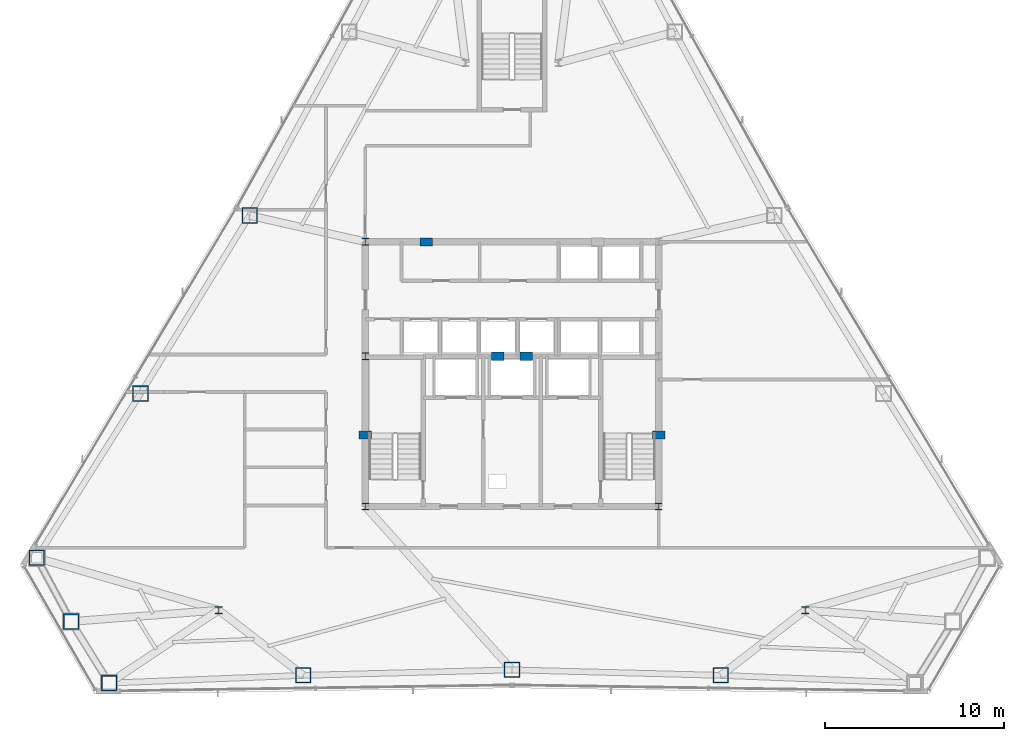
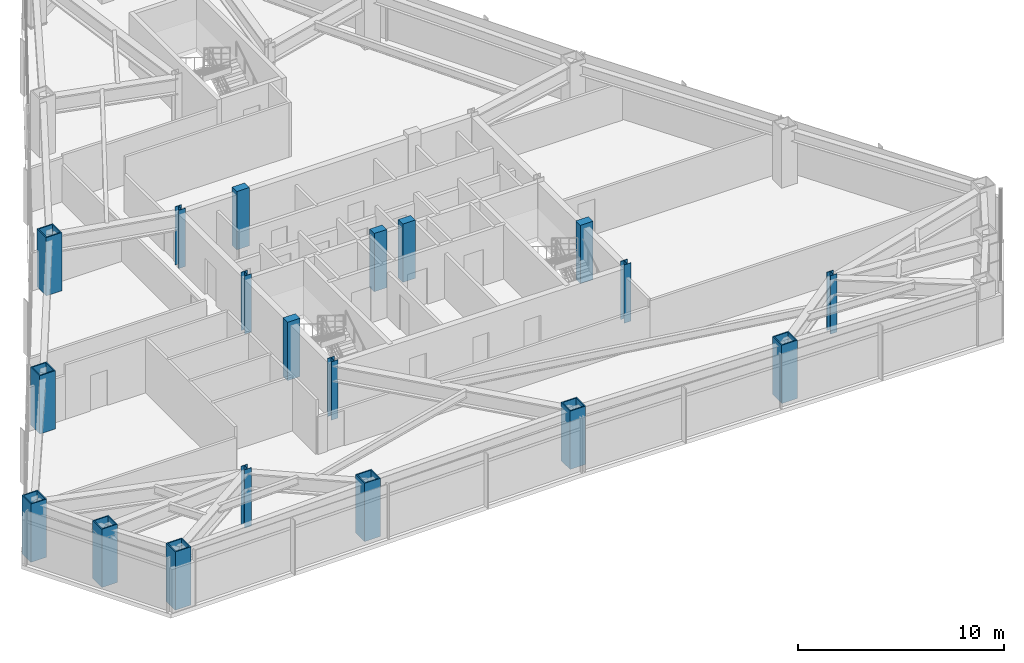
# One storey, part 1 of 13: 19 columns.
"""IFC4 building model written with IfcOpenShell, lengths in metres."""

from ifc_helpers import new_model, si_unit, direction, frame, origin, origin_2d, place, context, subcontext, project, spatial, rectangle, hollow_rectangle, i_section, extrude, material, material_profile, profile_set, type_object, element, save


model = new_model("IFC4")

# Units and contexts
model_context = context("Model", 3, precision=1e-05, world=origin(), true_north=direction((0.0, 1.0)))
body_context = subcontext(model_context, "Body", "Model", "MODEL_VIEW")
ifc_project = project(units=[si_unit("LENGTHUNIT", "METRE"), si_unit("AREAUNIT", "SQUARE_METRE"), si_unit("VOLUMEUNIT", "CUBIC_METRE"), si_unit("PLANEANGLEUNIT", "RADIAN"), si_unit("MASSUNIT", "GRAM", prefix="KILO")], contexts=[model_context])

# Site, building, storey
site_placement = place(None, origin())
site = spatial("IfcSite", under=ifc_project, at=site_placement, CompositionType="ELEMENT")
building_placement = place(site_placement, origin())
building = spatial("IfcBuilding", under=site, at=building_placement, Name="Varakhsha Concourse Tower", CompositionType="ELEMENT")
storey_placement = place(building_placement, frame((0.0, 0.0, 147.050048828125)))
storey = spatial("IfcBuildingStorey", under=building, at=storey_placement, Name="L42", CompositionType="ELEMENT", Elevation=147.050048828125)

# Columns
ifc_material_1 = material(Name="Structural Steel ASTM A992 Grade 50", Category="steel")
ifc_material_profile_1 = material_profile(ifc_material_1, i_section(OverallWidth=0.3740234375, OverallDepth=0.3720703125, WebThickness=0.01611328125, FlangeThickness=0.02587890625, at=origin_2d()), Name="W14X132")
ifc_profile_set_1 = profile_set([ifc_material_profile_1], Name="Structural Steel ASTM A992 Grade 50")
column_type_1 = type_object("IfcColumnType", Name="CL-CORE-W14X132", PredefinedType="COLUMN", material=ifc_profile_set_1)
for number, where, z_axis, x_axis, name in (
    (1, (31.800048828125, 16.39990234375, 0.0), (0.0, 0.0, 1.0), (1.0, 0.0, 0.0), "L42 Core Column CC-SW"),
    (2, (48.199951171875, 16.39990234375, 0.0), (0.0, 0.0, 1.0), (1.0, 0.0, 0.0), "L42 Core Column CC-SE"),
    (3, (31.800048828125, 24.800048828125, 0.0), (0.0, 0.0, 1.0), (1.0, 0.0, 0.0), "L42 Core Column CC-MW"),
    (4, (31.800048828125, 31.199951171875, 0.0), (0.0, 0.0, 1.0), (1.0, 0.0, 0.0), "L42 Core Column CC-NW"),
    (5, (23.60009765625, 10.60009765625, 0.0), (0.0, 0.0, 1.0), (1.0, 0.0, 0.0), "L42 Core Column SS-W"),
    (6, (56.39990234375, 10.60009765625, 0.0), (0.0, 0.0, 1.0), (1.0, 0.0, 0.0), "L42 Core Column SS-E"),
):
    element("IfcColumn", number, at=place(storey_placement, frame(where, z_axis=z_axis, x_axis=x_axis)), inside=storey, type_object=column_type_1, Name=name, PredefinedType="COLUMN", context=body_context, shape_type="SweptSolid", body=[
        extrude(i_section(OverallWidth=0.3740234375, OverallDepth=0.3720703125, WebThickness=0.01611328125, FlangeThickness=0.02587890625, at=origin_2d()), origin(), (0.0, 0.0, 1.0), 3.449951171875),
    ])
ifc_material_2 = material(Name="Concrete fc 65 MPa", Category="concrete")
ifc_material_profile_2 = material_profile(ifc_material_2, rectangle(XDim=0.699951171875, YDim=0.449951171875, at=origin_2d()), Name="RC 700x450")
ifc_profile_set_2 = profile_set([ifc_material_profile_2], Name="Concrete fc 65 MPa")
column_type_2 = type_object("IfcColumnType", Name="CL-PIL-700X450", PredefinedType="PILASTER", material=ifc_profile_set_2)
for number, where, z_axis, x_axis, name in (
    (7, (31.800048828125, 20.39990234375, 0.0), (0.0, 0.0, 1.0), (1.0, 0.0, 0.0), "L42 Core Boundary Pilaster PIL-W1"),
    (8, (48.199951171875, 20.39990234375, 0.0), (0.0, 0.0, 1.0), (1.0, 0.0, 0.0), "L42 Core Boundary Pilaster PIL-E1"),
    (9, (35.199951171875, 31.199951171875, 0.0), (0.0, 0.0, 1.0), (1.0, 0.0, 0.0), "L42 Core Boundary Pilaster PIL-N1"),
    (10, (39.199951171875, 24.800048828125, 0.0), (0.0, 0.0, 1.0), (1.0, 0.0, 0.0), "L42 Core Boundary Pilaster PIL-M1"),
    (11, (40.800048828125, 24.800048828125, 0.0), (0.0, 0.0, 1.0), (1.0, 0.0, 0.0), "L42 Core Boundary Pilaster PIL-M2"),
):
    element("IfcColumn", number, at=place(storey_placement, frame(where, z_axis=z_axis, x_axis=x_axis)), inside=storey, type_object=column_type_2, Name=name, PredefinedType="PILASTER", context=body_context, shape_type="SweptSolid", body=[
        extrude(rectangle(XDim=0.699951171875, YDim=0.449951171875, at=origin_2d()), origin(), (0.0, 0.0, 1.0), 3.449951171875),
    ])
ifc_material_3 = material(Name="Structural Steel ASTM A572 Grade 50", Category="steel")
ifc_material_profile_3 = material_profile(ifc_material_3, hollow_rectangle(XDim=0.8798828125, YDim=0.8798828125, WallThickness=0.06005859375, at=origin_2d()), Name="BOX 880x880x60")
ifc_profile_set_3 = profile_set([ifc_material_profile_3], Name="Structural Steel ASTM A572 Grade 50")
column_type_3 = type_object("IfcColumnType", Name="CL-TUBE-880", PredefinedType="COLUMN", material=ifc_profile_set_3)
for number, where, z_axis, x_axis, name in (
    (12, (25.33251953125, 32.668212890625, 0.0), (0.0, 0.0, 1.0), (1.0, 0.0, 0.0), "L42 Framed-Tube Column TC05"),
    (13, (19.22802734375, 22.710693359375, 0.0), (0.0, 0.0, 1.0), (1.0, 0.0, 0.0), "L42 Framed-Tube Column TC06"),
    (14, (13.42822265625, 13.527099609375, 0.0), (0.0, 0.0, 1.0), (1.0, 0.0, 0.0), "L42 Framed-Tube Column TC07"),
    (15, (15.34423828125, 9.96484375, 0.0), (0.0, 0.0, 1.0), (1.0, 0.0, 0.0), "L42 Framed-Tube Column TC08"),
    (16, (17.47119140625, 6.524658203125, 0.0), (0.0, 0.0, 1.0), (1.0, 0.0, 0.0), "L42 Framed-Tube Column TC09"),
    (17, (28.32421875, 6.95556640625, 0.0), (0.0, 0.0, 1.0), (1.0, 0.0, 0.0), "L42 Framed-Tube Column TC10"),
    (18, (40.0, 7.263427734375, 0.0), (0.0, 0.0, 1.0), (1.0, 0.0, 0.0), "L42 Framed-Tube Column TC11"),
    (19, (51.67578125, 6.95556640625, 0.0), (0.0, 0.0, 1.0), (1.0, 0.0, 0.0), "L42 Framed-Tube Column TC12"),
):
    element("IfcColumn", number, at=place(storey_placement, frame(where, z_axis=z_axis, x_axis=x_axis)), inside=storey, type_object=column_type_3, Name=name, PredefinedType="COLUMN", context=body_context, shape_type="SweptSolid", body=[
        extrude(hollow_rectangle(XDim=0.8798828125, YDim=0.8798828125, WallThickness=0.06005859375, at=origin_2d()), origin(), (0.0, 0.0, 1.0), 3.449951171875),
    ])

save(model, "model.ifc")
